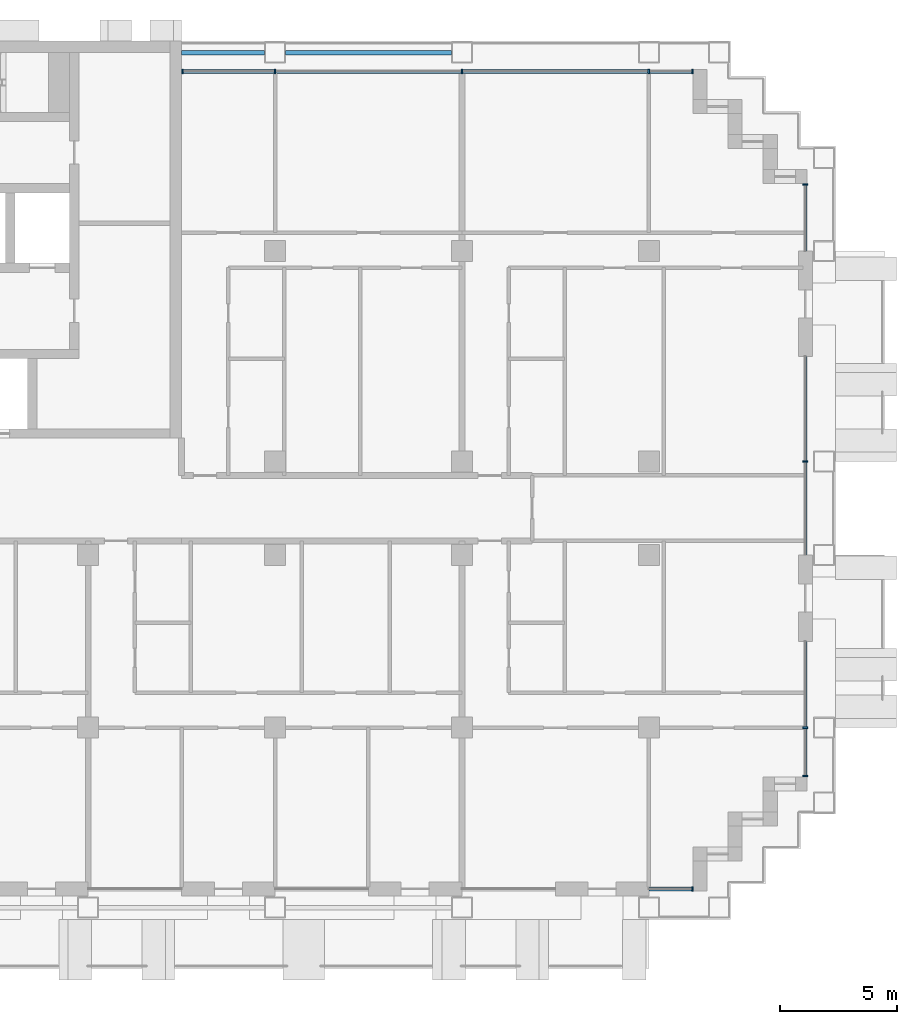
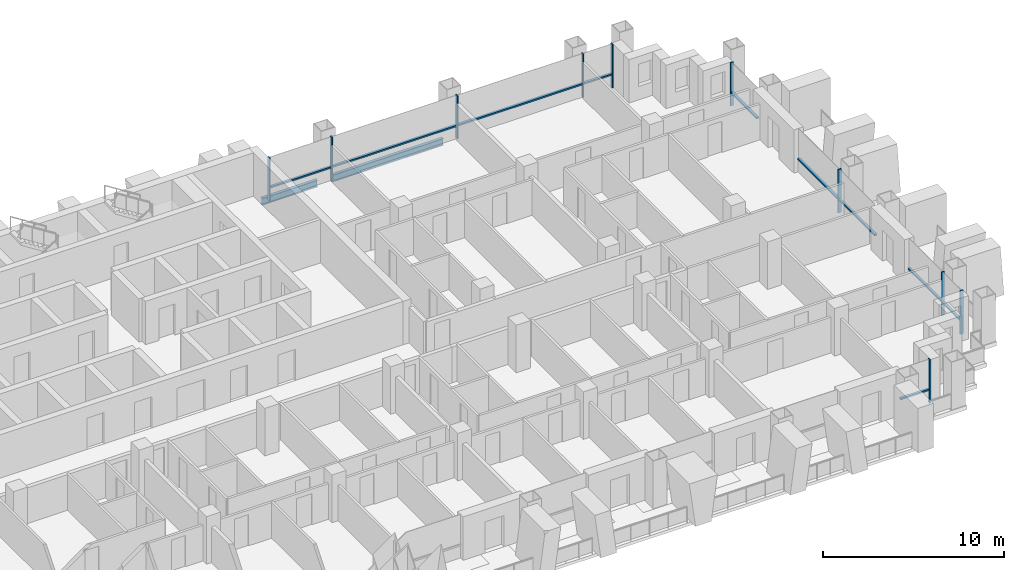
# One storey, part 5 of 17: 20 members, 2 beams, 5 elements without a shape of their own.
"""IFC4 building model written with IfcOpenShell, lengths in metres."""

from ifc_helpers import new_model, si_unit, direction, frame, origin, origin_2d, place, context, subcontext, project, spatial, rectangle, i_section, extrude, material, material_profile, profile_set, type_object, element, aggregate, save


model = new_model("IFC4")

# Units and contexts
model_context = context("Model", 3, precision=1e-05, world=origin(), true_north=direction((0.0, 1.0)))
body_context = subcontext(model_context, "Body", "Model", "MODEL_VIEW")
ifc_project = project(units=[si_unit("LENGTHUNIT", "METRE"), si_unit("AREAUNIT", "SQUARE_METRE"), si_unit("VOLUMEUNIT", "CUBIC_METRE"), si_unit("PLANEANGLEUNIT", "RADIAN"), si_unit("MASSUNIT", "GRAM", prefix="KILO")], contexts=[model_context])

# Site, building, storey
site_placement = place(None, origin())
site = spatial("IfcSite", under=ifc_project, at=site_placement, CompositionType="ELEMENT")
building_placement = place(site_placement, origin())
building = spatial("IfcBuilding", under=site, at=building_placement, Name="Vidyagriha Tower", CompositionType="ELEMENT")
storey_placement = place(building_placement, frame((0.0, 0.0, 77.5)))
storey = spatial("IfcBuildingStorey", under=building, at=storey_placement, Name="L19", CompositionType="ELEMENT", Elevation=77.5)

# Beams
ifc_material_1 = material(Name="Steel ASTM A992 Grade 50", Category="steel")
ifc_material_profile_1 = material_profile(ifc_material_1, i_section(OverallWidth=0.19189453125, OverallDepth=0.46240234375, WebThickness=0.010498046875, FlangeThickness=0.017578125, at=origin_2d()), Name="W18X60")
ifc_profile_set_1 = profile_set([ifc_material_profile_1], Name="Steel ASTM A992 Grade 50")
beam_type = type_object("IfcBeamType", Name="Edge beam W18X60", PredefinedType="SPANDREL", material=ifc_profile_set_1)
beam_1_placement = place(storey_placement, frame((18.449951171875, 19.5, -0.51123046875), z_axis=(1.0, 0.0, 0.0), x_axis=(0.0, 1.0, 0.0)))
element("IfcBeam", 1, at=beam_1_placement, inside=storey, type_object=beam_type, Name="st-beam-L19-NE07", PredefinedType="SPANDREL", context=body_context, shape_type="SweptSolid", body=[
    extrude(i_section(OverallWidth=0.19189453125, OverallDepth=0.46240234375, WebThickness=0.010498046875, FlangeThickness=0.017578125, at=origin_2d()), origin(), (0.0, 0.0, 1.0), 7.10009765625),
])
beam_2_placement = place(storey_placement, frame((14.0, 19.5, -0.51123046875), z_axis=(1.0, 0.0, 0.0), x_axis=(0.0, 1.0, 0.0)))
element("IfcBeam", 2, at=beam_2_placement, inside=storey, type_object=beam_type, Name="st-beam-L19-NC09", PredefinedType="SPANDREL", context=body_context, shape_type="SweptSolid", body=[
    extrude(i_section(OverallWidth=0.19189453125, OverallDepth=0.46240234375, WebThickness=0.010498046875, FlangeThickness=0.017578125, at=origin_2d()), origin(), (0.0, 0.0, 1.0), 3.550048828125),
])

# Curtain wall, members
ifc_material_2 = material(Name="Aluminium and glass curtain wall", Category="aluminium")
curtain_wall_type = type_object("IfcCurtainWallType", Name="Dwelling skin unitised curtain wall", PredefinedType="USERDEFINED", material=ifc_material_2)
curtain_wall_1_placement = place(storey_placement, origin())
curtain_wall_1 = element("IfcCurtainWall", 3, at=curtain_wall_1_placement, inside=storey, type_object=curtain_wall_type, Name="CW1 dwelling skin", ObjectType="UNITISED", PredefinedType="USERDEFINED")
ifc_material_3 = material(Name="Aluminium black anodised", Category="aluminium")
ifc_material_profile_2 = material_profile(ifc_material_3, rectangle(XDim=0.199951171875, YDim=0.070068359375, at=origin_2d()), Name="Mullion 70x200 black aluminium")
ifc_profile_set_2 = profile_set([ifc_material_profile_2], Name="Aluminium black anodised")
member_type_1 = type_object("IfcMemberType", Name="Mullion 70x200 black aluminium", PredefinedType="MULLION", material=ifc_profile_set_2)
member_1_placement = place(storey_placement, frame((35.864990234375, 18.699951171875, 0.0), z_axis=(0.0, 0.0, 1.0), x_axis=(0.0, -1.0, 0.0)))
member_1 = element("IfcMember", 4, at=member_1_placement, type_object=member_type_1, Name="CW1 mullion 1", PredefinedType="MULLION", context=body_context, shape_type="SweptSolid", body=[
    extrude(rectangle(XDim=0.199951171875, YDim=0.070068359375, at=origin_2d()), origin(), (0.0, 0.0, 1.0), 2.919921875),
])
member_2_placement = place(storey_placement, frame((34.0, 18.699951171875, 0.0), z_axis=(0.0, 0.0, 1.0), x_axis=(0.0, -1.0, 0.0)))
member_2 = element("IfcMember", 5, at=member_2_placement, type_object=member_type_1, Name="CW1 mullion 2", PredefinedType="MULLION", context=body_context, shape_type="SweptSolid", body=[
    extrude(rectangle(XDim=0.199951171875, YDim=0.070068359375, at=origin_2d()), origin(), (0.0, 0.0, 1.0), 2.919921875),
])
member_3_placement = place(storey_placement, frame((26.0, 18.699951171875, 0.0), z_axis=(0.0, 0.0, 1.0), x_axis=(0.0, -1.0, 0.0)))
member_3 = element("IfcMember", 6, at=member_3_placement, type_object=member_type_1, Name="CW1 mullion 3", PredefinedType="MULLION", context=body_context, shape_type="SweptSolid", body=[
    extrude(rectangle(XDim=0.199951171875, YDim=0.070068359375, at=origin_2d()), origin(), (0.0, 0.0, 1.0), 2.919921875),
])
member_4_placement = place(storey_placement, frame((18.0, 18.699951171875, 0.0), z_axis=(0.0, 0.0, 1.0), x_axis=(0.0, -1.0, 0.0)))
member_4 = element("IfcMember", 7, at=member_4_placement, type_object=member_type_1, Name="CW1 mullion 4", PredefinedType="MULLION", context=body_context, shape_type="SweptSolid", body=[
    extrude(rectangle(XDim=0.199951171875, YDim=0.070068359375, at=origin_2d()), origin(), (0.0, 0.0, 1.0), 2.919921875),
])
member_5_placement = place(storey_placement, frame((14.034912109375, 18.699951171875, 0.0), z_axis=(0.0, 0.0, 1.0), x_axis=(0.0, -1.0, 0.0)))
member_5 = element("IfcMember", 8, at=member_5_placement, type_object=member_type_1, Name="CW1 mullion 5", PredefinedType="MULLION", context=body_context, shape_type="SweptSolid", body=[
    extrude(rectangle(XDim=0.199951171875, YDim=0.070068359375, at=origin_2d()), origin(), (0.0, 0.0, 1.0), 2.919921875),
])

# Curtain wall, member
curtain_wall_2_placement = place(storey_placement, origin())
curtain_wall_2 = element("IfcCurtainWall", 9, at=curtain_wall_2_placement, inside=storey, type_object=curtain_wall_type, Name="CW1 dwelling skin", ObjectType="UNITISED", PredefinedType="USERDEFINED")
member_6_placement = place(storey_placement, frame((35.864990234375, -16.300048828125, 0.0), z_axis=(0.0, 0.0, 1.0), x_axis=(0.0, 1.0, 0.0)))
member_6 = element("IfcMember", 10, at=member_6_placement, type_object=member_type_1, Name="CW1 mullion 2", PredefinedType="MULLION", context=body_context, shape_type="SweptSolid", body=[
    extrude(rectangle(XDim=0.199951171875, YDim=0.070068359375, at=origin_2d()), origin(), (0.0, 0.0, 1.0), 2.919921875),
])

# Curtain wall, members
curtain_wall_3_placement = place(storey_placement, origin())
curtain_wall_3 = element("IfcCurtainWall", 11, at=curtain_wall_3_placement, inside=storey, type_object=curtain_wall_type, Name="CW1 dwelling skin", ObjectType="UNITISED", PredefinedType="USERDEFINED")
member_7_placement = place(storey_placement, frame((40.699951171875, -11.465087890625, 0.0), z_axis=(0.0, 0.0, 1.0), x_axis=(-1.0, 0.0, 0.0)))
member_7 = element("IfcMember", 12, at=member_7_placement, type_object=member_type_1, Name="CW1 mullion 1", PredefinedType="MULLION", context=body_context, shape_type="SweptSolid", body=[
    extrude(rectangle(XDim=0.199951171875, YDim=0.070068359375, at=origin_2d()), origin(), (0.0, 0.0, 1.0), 2.919921875),
])
member_8_placement = place(storey_placement, frame((40.699951171875, -9.39990234375, 0.0), z_axis=(0.0, 0.0, 1.0), x_axis=(-1.0, 0.0, 0.0)))
member_8 = element("IfcMember", 13, at=member_8_placement, type_object=member_type_1, Name="CW1 mullion 2", PredefinedType="MULLION", context=body_context, shape_type="SweptSolid", body=[
    extrude(rectangle(XDim=0.199951171875, YDim=0.070068359375, at=origin_2d()), origin(), (0.0, 0.0, 1.0), 2.919921875),
])

# Curtain wall, member
curtain_wall_4_placement = place(storey_placement, origin())
curtain_wall_4 = element("IfcCurtainWall", 14, at=curtain_wall_4_placement, inside=storey, type_object=curtain_wall_type, Name="CW1 dwelling skin", ObjectType="UNITISED", PredefinedType="USERDEFINED")
member_9_placement = place(storey_placement, frame((40.699951171875, 2.0, 0.0), z_axis=(0.0, 0.0, 1.0), x_axis=(-1.0, 0.0, 0.0)))
member_9 = element("IfcMember", 15, at=member_9_placement, type_object=member_type_1, Name="CW1 mullion 2", PredefinedType="MULLION", context=body_context, shape_type="SweptSolid", body=[
    extrude(rectangle(XDim=0.199951171875, YDim=0.070068359375, at=origin_2d()), origin(), (0.0, 0.0, 1.0), 2.919921875),
])

curtain_wall_5_placement = place(storey_placement, origin())
curtain_wall_5 = element("IfcCurtainWall", 16, at=curtain_wall_5_placement, inside=storey, type_object=curtain_wall_type, Name="CW1 dwelling skin", ObjectType="UNITISED", PredefinedType="USERDEFINED")
member_10_placement = place(storey_placement, frame((40.699951171875, 13.864990234375, 0.0), z_axis=(0.0, 0.0, 1.0), x_axis=(-1.0, 0.0, 0.0)))
member_10 = element("IfcMember", 17, at=member_10_placement, type_object=member_type_1, Name="CW1 mullion 2", PredefinedType="MULLION", context=body_context, shape_type="SweptSolid", body=[
    extrude(rectangle(XDim=0.199951171875, YDim=0.070068359375, at=origin_2d()), origin(), (0.0, 0.0, 1.0), 2.919921875),
])

# Member
ifc_material_4 = material(Name="Aluminium black anodised", Category="aluminium")
ifc_material_profile_3 = material_profile(ifc_material_4, rectangle(XDim=0.159912109375, YDim=0.10009765625, at=origin_2d()), Name="Transom 100x160 black aluminium")
ifc_profile_set_3 = profile_set([ifc_material_profile_3], Name="Aluminium black anodised")
member_type_2 = type_object("IfcMemberType", Name="Transom 100x160 black aluminium", PredefinedType="USERDEFINED", material=ifc_profile_set_3)
member_11_placement = place(storey_placement, frame((35.830078125, 18.699951171875, 0.89990234375), z_axis=(-1.0, 0.0, 0.0), x_axis=(0.0, -1.0, 0.0)))
member_11 = element("IfcMember", 18, at=member_11_placement, type_object=member_type_2, Name="CW1 transom 1.1", ObjectType="TRANSOM", PredefinedType="USERDEFINED", context=body_context, shape_type="SweptSolid", body=[
    extrude(rectangle(XDim=0.159912109375, YDim=0.10009765625, at=origin_2d()), origin(), (0.0, 0.0, 1.0), 1.795166015625),
])

member_12_placement = place(storey_placement, frame((33.965087890625, 18.699951171875, 0.89990234375), z_axis=(-1.0, 0.0, 0.0), x_axis=(0.0, -1.0, 0.0)))
member_12 = element("IfcMember", 19, at=member_12_placement, type_object=member_type_2, Name="CW1 transom 2.1", ObjectType="TRANSOM", PredefinedType="USERDEFINED", context=body_context, shape_type="SweptSolid", body=[
    extrude(rectangle(XDim=0.159912109375, YDim=0.10009765625, at=origin_2d()), origin(), (0.0, 0.0, 1.0), 7.93017578125),
])

member_13_placement = place(storey_placement, frame((25.965087890625, 18.699951171875, 0.89990234375), z_axis=(-1.0, 0.0, 0.0), x_axis=(0.0, -1.0, 0.0)))
member_13 = element("IfcMember", 20, at=member_13_placement, type_object=member_type_2, Name="CW1 transom 3.1", ObjectType="TRANSOM", PredefinedType="USERDEFINED", context=body_context, shape_type="SweptSolid", body=[
    extrude(rectangle(XDim=0.159912109375, YDim=0.10009765625, at=origin_2d()), origin(), (0.0, 0.0, 1.0), 7.93017578125),
])

member_14_placement = place(storey_placement, frame((17.965087890625, 18.699951171875, 0.89990234375), z_axis=(-1.0, 0.0, 0.0), x_axis=(0.0, -1.0, 0.0)))
member_14 = element("IfcMember", 21, at=member_14_placement, type_object=member_type_2, Name="CW1 transom 4.1", ObjectType="TRANSOM", PredefinedType="USERDEFINED", context=body_context, shape_type="SweptSolid", body=[
    extrude(rectangle(XDim=0.159912109375, YDim=0.10009765625, at=origin_2d()), origin(), (0.0, 0.0, 1.0), 3.89501953125),
])

aggregate(curtain_wall_1, [member_1, member_2, member_3, member_4, member_5, member_11, member_12, member_13, member_14])

member_15_placement = place(storey_placement, frame((34.0, -16.300048828125, 0.89990234375), z_axis=(1.0, 0.0, 0.0), x_axis=(0.0, 1.0, 0.0)))
member_15 = element("IfcMember", 22, at=member_15_placement, type_object=member_type_2, Name="CW1 transom 1.1", ObjectType="TRANSOM", PredefinedType="USERDEFINED", context=body_context, shape_type="SweptSolid", body=[
    extrude(rectangle(XDim=0.159912109375, YDim=0.10009765625, at=origin_2d()), origin(), (0.0, 0.0, 1.0), 1.830078125),
])

aggregate(curtain_wall_2, [member_6, member_15])

member_16_placement = place(storey_placement, frame((40.699951171875, -11.429931640625, 0.89990234375), z_axis=(0.0, 1.0, 0.0), x_axis=(-1.0, 0.0, 0.0)))
member_16 = element("IfcMember", 23, at=member_16_placement, type_object=member_type_2, Name="CW1 transom 1.1", ObjectType="TRANSOM", PredefinedType="USERDEFINED", context=body_context, shape_type="SweptSolid", body=[
    extrude(rectangle(XDim=0.159912109375, YDim=0.10009765625, at=origin_2d()), origin(), (0.0, 0.0, 1.0), 1.994873046875),
])

member_17_placement = place(storey_placement, frame((40.699951171875, -9.364990234375, 0.89990234375), z_axis=(0.0, 1.0, 0.0), x_axis=(-1.0, 0.0, 0.0)))
member_17 = element("IfcMember", 24, at=member_17_placement, type_object=member_type_2, Name="CW1 transom 2.1", ObjectType="TRANSOM", PredefinedType="USERDEFINED", context=body_context, shape_type="SweptSolid", body=[
    extrude(rectangle(XDim=0.159912109375, YDim=0.10009765625, at=origin_2d()), origin(), (0.0, 0.0, 1.0), 3.6650390625),
])

aggregate(curtain_wall_3, [member_7, member_8, member_16, member_17])

member_18_placement = place(storey_placement, frame((40.699951171875, -2.0, 0.89990234375), z_axis=(0.0, 1.0, 0.0), x_axis=(-1.0, 0.0, 0.0)))
member_18 = element("IfcMember", 25, at=member_18_placement, type_object=member_type_2, Name="CW1 transom 1.1", ObjectType="TRANSOM", PredefinedType="USERDEFINED", context=body_context, shape_type="SweptSolid", body=[
    extrude(rectangle(XDim=0.159912109375, YDim=0.10009765625, at=origin_2d()), origin(), (0.0, 0.0, 1.0), 3.965087890625),
])

member_19_placement = place(storey_placement, frame((40.699951171875, 2.034912109375, 0.89990234375), z_axis=(0.0, 1.0, 0.0), x_axis=(-1.0, 0.0, 0.0)))
member_19 = element("IfcMember", 26, at=member_19_placement, type_object=member_type_2, Name="CW1 transom 2.1", ObjectType="TRANSOM", PredefinedType="USERDEFINED", context=body_context, shape_type="SweptSolid", body=[
    extrude(rectangle(XDim=0.159912109375, YDim=0.10009765625, at=origin_2d()), origin(), (0.0, 0.0, 1.0), 4.465087890625),
])

aggregate(curtain_wall_4, [member_9, member_18, member_19])

member_20_placement = place(storey_placement, frame((40.699951171875, 11.0, 0.89990234375), z_axis=(0.0, 1.0, 0.0), x_axis=(-1.0, 0.0, 0.0)))
member_20 = element("IfcMember", 27, at=member_20_placement, type_object=member_type_2, Name="CW1 transom 1.1", ObjectType="TRANSOM", PredefinedType="USERDEFINED", context=body_context, shape_type="SweptSolid", body=[
    extrude(rectangle(XDim=0.159912109375, YDim=0.10009765625, at=origin_2d()), origin(), (0.0, 0.0, 1.0), 2.830078125),
])

aggregate(curtain_wall_5, [member_10, member_20])

save(model, "model.ifc")
